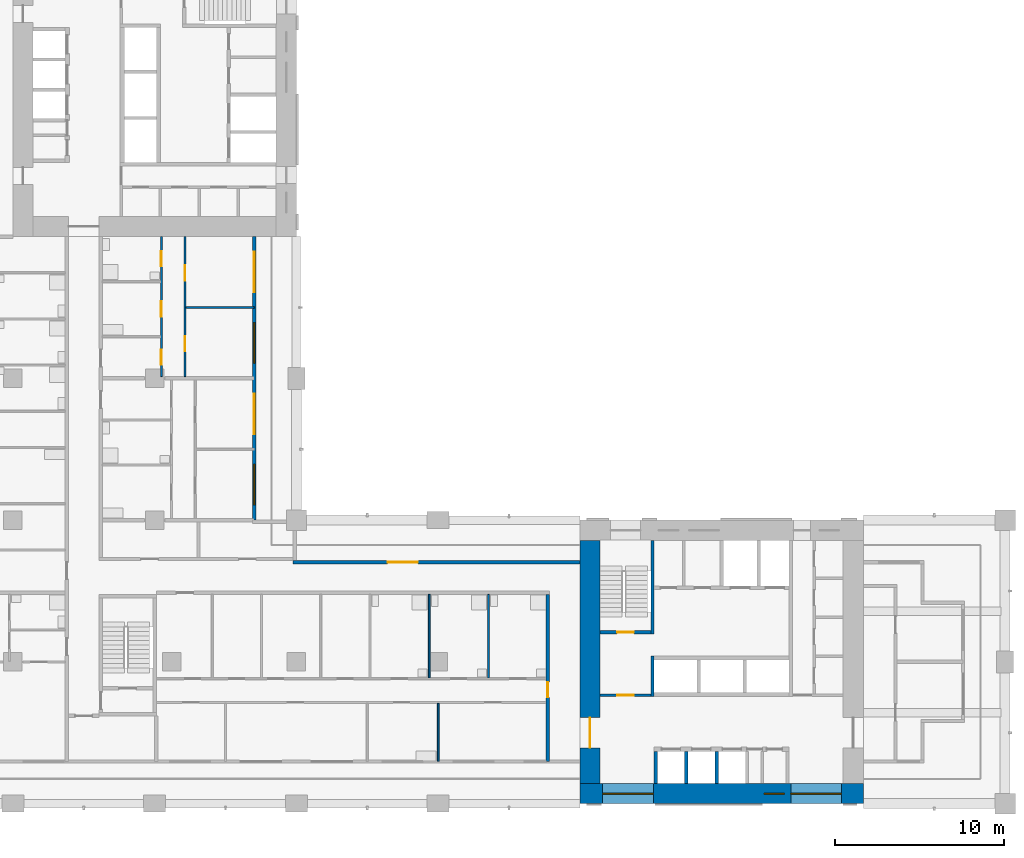
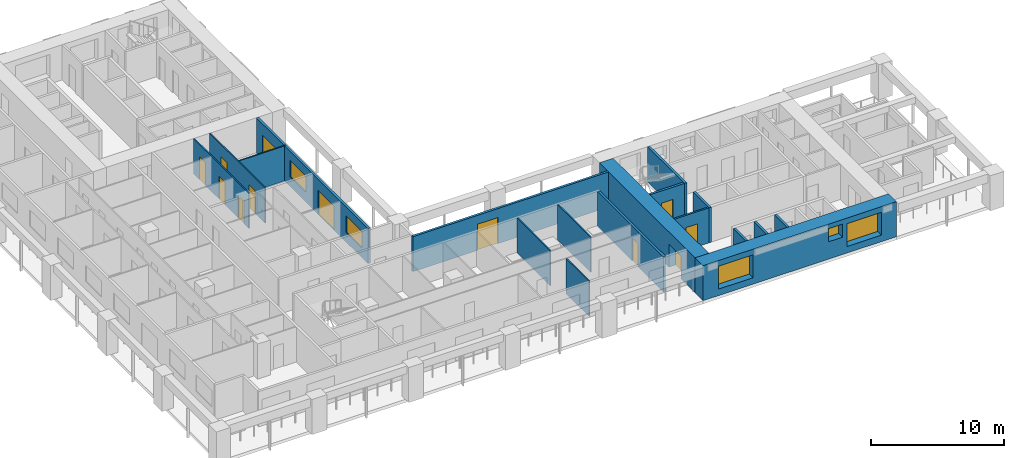
# One storey, part 5 of 17: 18 walls, 12 doors, 5 windows, 17 openings.
"""IFC4 building model written with IfcOpenShell, lengths in metres."""

from ifc_helpers import new_model, si_unit, direction, frame, frame_2d, origin, place, context, subcontext, project, spatial, rectangle, extrude, material, layer, layer_set, type_object, element, fill, save


model = new_model("IFC4")

# Units and contexts
model_context = context("Model", 3, precision=1e-05, world=origin(), true_north=direction((0.0, 1.0)))
body_context = subcontext(model_context, "Body", "Model", "MODEL_VIEW")
ifc_project = project(units=[si_unit("LENGTHUNIT", "METRE"), si_unit("AREAUNIT", "SQUARE_METRE"), si_unit("VOLUMEUNIT", "CUBIC_METRE"), si_unit("PLANEANGLEUNIT", "RADIAN"), si_unit("MASSUNIT", "GRAM", prefix="KILO")], contexts=[model_context])

# Site, building, storey
site_placement = place(None, origin())
site = spatial("IfcSite", under=ifc_project, at=site_placement, CompositionType="ELEMENT")
building_placement = place(site_placement, origin())
building = spatial("IfcBuilding", under=site, at=building_placement, Name="Vermilion Gate Residences", CompositionType="ELEMENT")
storey_placement = place(building_placement, frame((0.0, 0.0, 91.699951171875)))
storey = spatial("IfcBuildingStorey", under=building, at=storey_placement, Name="L22", CompositionType="ELEMENT", Elevation=91.699951171875)

# Wall, opening, door
ifc_material_1 = material(Name="Masonry blockwork", Category="masonry")
ifc_layer_1 = layer(ifc_material_1, 0.14990234375)
ifc_layer_set_1 = layer_set([ifc_layer_1], Name="BLOCKWORK PARTITION 150 EI 120")
wall_type_1 = type_object("IfcWallType", Name="BLOCKWORK PARTITION 150 EI 120", PredefinedType="PARTITIONING", material=ifc_layer_set_1)
wall_1_placement = place(storey_placement, frame((43.199951171875, 14.824951171875, 0.0), z_axis=(0.0, 0.0, 1.0), x_axis=(1.0, 0.0, 0.0)))
wall_1 = element("IfcWall", 1, at=wall_1_placement, inside=storey, type_object=wall_type_1, Name="Core room partition A22-VW-S", PredefinedType="PARTITIONING", context=body_context, shape_type="SweptSolid", body=[
    extrude(rectangle(XDim=3.0, YDim=0.14990234375, at=frame_2d((1.5, 0.0))), origin(), (0.0, 0.0, 1.0), 3.219970703125),
])
opening_1_placement = place(wall_1_placement, frame((1.0, 0.0, 0.0)))
opening_1 = element("IfcOpeningElement", 2, at=opening_1_placement, cuts=wall_1, Name="Opening DK22012", PredefinedType="OPENING", context=body_context, shape_type="SweptSolid", body=[
    extrude(rectangle(XDim=1.0, YDim=2.10009765625, at=frame_2d((0.5, 1.050048828125))), frame((0.0, 0.0849609375, 0.0), z_axis=(0.0, -1.0, 0.0), x_axis=(1.0, 0.0, 0.0)), (0.0, 0.0, 1.0), 0.169921875),
])
ifc_material_2 = material(Name="Steel", Category="steel")
door_type_1 = type_object("IfcDoorType", Name="FIRE DOOR FD60 1000 X 2100", OperationType="SINGLE_SWING_LEFT", PredefinedType="DOOR", material=ifc_material_2)
door_1_placement = place(opening_1_placement, frame((1.0, 0.0, 0.0), z_axis=(0.0, 0.0, 1.0), x_axis=(-1.0, 0.0, 0.0)))
door_1 = element("IfcDoor", 3, at=door_1_placement, inside=storey, type_object=door_type_1, Name="Stair vestibule door A22", OperationType="SINGLE_SWING_RIGHT", OverallHeight=2.10009765625, OverallWidth=1.0, PredefinedType="DOOR", context=body_context, shape_type="SweptSolid", body=[
    extrude(rectangle(XDim=1.0, YDim=2.10009765625, at=frame_2d((0.5, 1.050048828125))), frame((0.0, 0.02490234375, 0.0), z_axis=(0.0, -1.0, 0.0), x_axis=(1.0, 0.0, 0.0)), (0.0, 0.0, 1.0), 0.050048828125),
])
fill(opening_1, door_1)

ifc_material_3 = material(Name="Insulated steel stud wall with terracotta rainscreen", Category="masonry")
ifc_layer_2 = layer(ifc_material_3, 0.199951171875)
ifc_layer_set_2 = layer_set([ifc_layer_2], Name="EXTERNAL WALL 200 TERRACOTTA RAINSCREEN")
wall_type_2 = type_object("IfcWallType", Name="EXTERNAL WALL 200 TERRACOTTA RAINSCREEN", PredefinedType="SOLIDWALL", material=ifc_layer_set_2)
wall_2_placement = place(storey_placement, frame((42.0, 22.699951171875, 0.0), z_axis=(0.0, 0.0, 1.0), x_axis=(-1.0, 0.0, 0.0)))
wall_2 = element("IfcWall", 4, at=wall_2_placement, inside=storey, type_object=wall_type_2, Name="External wall", PredefinedType="SOLIDWALL", context=body_context, shape_type="SweptSolid", body=[
    extrude(rectangle(XDim=17.0, YDim=0.199951171875, at=frame_2d((8.5, 0.0))), origin(), (0.0, 0.0, 1.0), 3.219970703125),
])
opening_2_placement = place(wall_2_placement, frame((9.60009765625, 0.0, 0.0)))
opening_2 = element("IfcOpeningElement", 5, at=opening_2_placement, cuts=wall_2, Name="Opening DE22029", PredefinedType="OPENING", context=body_context, shape_type="SweptSolid", body=[
    extrude(rectangle(XDim=1.800048828125, YDim=2.39990234375, at=frame_2d((0.89990234375, 1.199951171875))), frame((0.0, 0.10986328125, 0.0), z_axis=(0.0, -1.0, 0.0), x_axis=(1.0, 0.0, 0.0)), (0.0, 0.0, 1.0), 0.219970703125),
])
ifc_material_4 = material(Name="Aluminium and clear glass", Category="aluminium")
door_type_2 = type_object("IfcDoorType", Name="GLAZED EXTERNAL DOOR 1800 X 2400", OperationType="DOUBLE_DOOR_SINGLE_SWING", PredefinedType="DOOR", material=ifc_material_4)
door_2_placement = place(opening_2_placement, frame((1.800048828125, 0.0, 0.0), z_axis=(0.0, 0.0, 1.0), x_axis=(-1.0, 0.0, 0.0)))
door_2 = element("IfcDoor", 6, at=door_2_placement, inside=storey, type_object=door_type_2, Name="Gallery door", OperationType="DOUBLE_DOOR_SINGLE_SWING", OverallHeight=2.39990234375, OverallWidth=1.800048828125, PredefinedType="DOOR", context=body_context, shape_type="SweptSolid", body=[
    extrude(rectangle(XDim=1.800048828125, YDim=2.39990234375, at=frame_2d((0.89990234375, 1.199951171875))), frame((0.0, 0.02490234375, 0.0), z_axis=(0.0, -1.0, 0.0), x_axis=(1.0, 0.0, 0.0)), (0.0, 0.0, 1.0), 0.050048828125),
])
fill(opening_2, door_2)

# Wall, openings, doors, windows
wall_3_placement = place(storey_placement, frame((22.699951171875, 25.199951171875, 0.0), z_axis=(0.0, 0.0, 1.0), x_axis=(0.0, 1.0, 0.0)))
wall_3 = element("IfcWall", 7, at=wall_3_placement, inside=storey, type_object=wall_type_2, Name="External wall", PredefinedType="SOLIDWALL", context=body_context, shape_type="SweptSolid", body=[
    extrude(rectangle(XDim=16.800048828125, YDim=0.199951171875, at=frame_2d((8.39990234375, 0.0))), origin(), (0.0, 0.0, 1.0), 3.219970703125),
])
opening_3_placement = place(wall_3_placement, frame((0.89990234375, 0.0, 0.89990234375)))
opening_3 = element("IfcOpeningElement", 8, at=opening_3_placement, cuts=wall_3, Name="Opening WE22024", PredefinedType="OPENING", context=body_context, shape_type="SweptSolid", body=[
    extrude(rectangle(XDim=2.39990234375, YDim=1.5, at=frame_2d((1.199951171875, 0.75))), frame((0.0, 0.10986328125, 0.0), z_axis=(0.0, -1.0, 0.0), x_axis=(1.0, 0.0, 0.0)), (0.0, 0.0, 1.0), 0.219970703125),
])
opening_4_placement = place(wall_3_placement, frame((5.10009765625, 0.0, 0.0)))
opening_4 = element("IfcOpeningElement", 9, at=opening_4_placement, cuts=wall_3, Name="Opening DE22025", PredefinedType="OPENING", context=body_context, shape_type="SweptSolid", body=[
    extrude(rectangle(XDim=2.39990234375, YDim=2.199951171875, at=frame_2d((1.199951171875, 1.10009765625))), frame((0.0, 0.10986328125, 0.0), z_axis=(0.0, -1.0, 0.0), x_axis=(1.0, 0.0, 0.0)), (0.0, 0.0, 1.0), 0.219970703125),
])
opening_5_placement = place(wall_3_placement, frame((9.300048828125, 0.0, 0.89990234375)))
opening_5 = element("IfcOpeningElement", 10, at=opening_5_placement, cuts=wall_3, Name="Opening WE22026", PredefinedType="OPENING", context=body_context, shape_type="SweptSolid", body=[
    extrude(rectangle(XDim=2.39990234375, YDim=1.5, at=frame_2d((1.199951171875, 0.75))), frame((0.0, 0.10986328125, 0.0), z_axis=(0.0, -1.0, 0.0), x_axis=(1.0, 0.0, 0.0)), (0.0, 0.0, 1.0), 0.219970703125),
])
opening_6_placement = place(wall_3_placement, frame((13.5, 0.0, 0.0)))
opening_6 = element("IfcOpeningElement", 11, at=opening_6_placement, cuts=wall_3, Name="Opening DE22027", PredefinedType="OPENING", context=body_context, shape_type="SweptSolid", body=[
    extrude(rectangle(XDim=2.39990234375, YDim=2.199951171875, at=frame_2d((1.199951171875, 1.10009765625))), frame((0.0, 0.10986328125, 0.0), z_axis=(0.0, -1.0, 0.0), x_axis=(1.0, 0.0, 0.0)), (0.0, 0.0, 1.0), 0.219970703125),
])
ifc_material_5 = material(Name="Aluminium and clear glass", Category="aluminium")
door_type_3 = type_object("IfcDoorType", Name="SLIDING GLAZED DOOR 2400 X 2200", OperationType="DOUBLE_DOOR_SLIDING", PredefinedType="DOOR", material=ifc_material_5)
door_3_placement = place(opening_4_placement, origin())
door_3 = element("IfcDoor", 12, at=door_3_placement, inside=storey, type_object=door_type_3, Name="Loggia sliding door", OperationType="DOUBLE_DOOR_SLIDING", OverallHeight=2.199951171875, OverallWidth=2.39990234375, PredefinedType="DOOR", context=body_context, shape_type="SweptSolid", body=[
    extrude(rectangle(XDim=2.39990234375, YDim=2.199951171875, at=frame_2d((1.199951171875, 1.10009765625))), frame((0.0, 0.02490234375, 0.0), z_axis=(0.0, -1.0, 0.0), x_axis=(1.0, 0.0, 0.0)), (0.0, 0.0, 1.0), 0.050048828125),
])
fill(opening_4, door_3)
door_4_placement = place(opening_6_placement, origin())
door_4 = element("IfcDoor", 13, at=door_4_placement, inside=storey, type_object=door_type_3, Name="Loggia sliding door", OperationType="DOUBLE_DOOR_SLIDING", OverallHeight=2.199951171875, OverallWidth=2.39990234375, PredefinedType="DOOR", context=body_context, shape_type="SweptSolid", body=[
    extrude(rectangle(XDim=2.39990234375, YDim=2.199951171875, at=frame_2d((1.199951171875, 1.10009765625))), frame((0.0, 0.02490234375, 0.0), z_axis=(0.0, -1.0, 0.0), x_axis=(1.0, 0.0, 0.0)), (0.0, 0.0, 1.0), 0.050048828125),
])
fill(opening_6, door_4)
ifc_material_6 = material(Name="Aluminium and clear glass", Category="aluminium")
window_type_1 = type_object("IfcWindowType", Name="WINDOW 2400 X 1500", PartitioningType="SINGLE_PANEL", PredefinedType="WINDOW", material=ifc_material_6)
window_1_placement = place(opening_3_placement, origin())
window_1 = element("IfcWindow", 14, at=window_1_placement, inside=storey, type_object=window_type_1, Name="Window", OverallHeight=1.5, OverallWidth=2.39990234375, PartitioningType="SINGLE_PANEL", PredefinedType="WINDOW", context=body_context, shape_type="SweptSolid", body=[
    extrude(rectangle(XDim=2.39990234375, YDim=1.5, at=frame_2d((1.199951171875, 0.75))), frame((0.0, 0.030029296875, 0.0), z_axis=(0.0, -1.0, 0.0), x_axis=(1.0, 0.0, 0.0)), (0.0, 0.0, 1.0), 0.06005859375),
])
fill(opening_3, window_1)
window_2_placement = place(opening_5_placement, origin())
window_2 = element("IfcWindow", 15, at=window_2_placement, inside=storey, type_object=window_type_1, Name="Window", OverallHeight=1.5, OverallWidth=2.39990234375, PartitioningType="SINGLE_PANEL", PredefinedType="WINDOW", context=body_context, shape_type="SweptSolid", body=[
    extrude(rectangle(XDim=2.39990234375, YDim=1.5, at=frame_2d((1.199951171875, 0.75))), frame((0.0, 0.030029296875, 0.0), z_axis=(0.0, -1.0, 0.0), x_axis=(1.0, 0.0, 0.0)), (0.0, 0.0, 1.0), 0.06005859375),
])
fill(opening_5, window_2)

# Wall
ifc_material_7 = material(Name="Plasterboard on steel studs", Category="steel")
ifc_layer_3 = layer(ifc_material_7, 0.10009765625)
ifc_layer_set_3 = layer_set([ifc_layer_3], Name="PARTITION 100")
wall_type_3 = type_object("IfcWallType", Name="PARTITION 100", PredefinedType="PARTITIONING", material=ifc_layer_set_3)
wall_4_placement = place(storey_placement, frame((18.64990234375, 37.800048828125, 0.0), z_axis=(0.0, 0.0, 1.0), x_axis=(1.0, 0.0, 0.0)))
element("IfcWall", 16, at=wall_4_placement, inside=storey, type_object=wall_type_3, Name="Partition", PredefinedType="PARTITIONING", context=body_context, shape_type="SweptSolid", body=[
    extrude(rectangle(XDim=4.050048828125, YDim=0.10009765625, at=frame_2d((2.02490234375, 0.0))), origin(), (0.0, 0.0, 1.0), 3.219970703125),
])

# Wall, openings, doors
wall_5_placement = place(storey_placement, frame((17.199951171875, 33.699951171875, 0.0), z_axis=(0.0, 0.0, 1.0), x_axis=(0.0, 1.0, 0.0)))
wall_5 = element("IfcWall", 17, at=wall_5_placement, inside=storey, type_object=wall_type_3, Name="Partition", PredefinedType="PARTITIONING", context=body_context, shape_type="SweptSolid", body=[
    extrude(rectangle(XDim=8.300048828125, YDim=0.10009765625, at=frame_2d((4.14990234375, 0.0))), origin(), (0.0, 0.0, 1.0), 3.219970703125),
])
opening_7_placement = place(wall_5_placement, frame((0.699951171875, 0.0, 0.0)))
opening_7 = element("IfcOpeningElement", 18, at=opening_7_placement, cuts=wall_5, Name="Opening DA22040", PredefinedType="OPENING", context=body_context, shape_type="SweptSolid", body=[
    extrude(rectangle(XDim=0.89990234375, YDim=2.10009765625, at=frame_2d((0.449951171875, 1.050048828125))), frame((0.0, 0.06005859375, 0.0), z_axis=(0.0, -1.0, 0.0), x_axis=(1.0, 0.0, 0.0)), (0.0, 0.0, 1.0), 0.1201171875),
])
opening_8_placement = place(wall_5_placement, frame((3.56689453125, 0.0, 0.0)))
opening_8 = element("IfcOpeningElement", 19, at=opening_8_placement, cuts=wall_5, Name="Opening DA22041", PredefinedType="OPENING", context=body_context, shape_type="SweptSolid", body=[
    extrude(rectangle(XDim=0.89990234375, YDim=2.10009765625, at=frame_2d((0.449951171875, 1.050048828125))), frame((0.0, 0.06005859375, 0.0), z_axis=(0.0, -1.0, 0.0), x_axis=(1.0, 0.0, 0.0)), (0.0, 0.0, 1.0), 0.1201171875),
])
opening_9_placement = place(wall_5_placement, frame((6.532958984375, 0.0, 0.0)))
opening_9 = element("IfcOpeningElement", 20, at=opening_9_placement, cuts=wall_5, Name="Opening DA22042", PredefinedType="OPENING", context=body_context, shape_type="SweptSolid", body=[
    extrude(rectangle(XDim=0.89990234375, YDim=2.10009765625, at=frame_2d((0.449951171875, 1.050048828125))), frame((0.0, 0.06005859375, 0.0), z_axis=(0.0, -1.0, 0.0), x_axis=(1.0, 0.0, 0.0)), (0.0, 0.0, 1.0), 0.1201171875),
])
ifc_material_8 = material(Name="Timber", Category="wood")
door_type_4 = type_object("IfcDoorType", Name="INTERIOR DOOR 900 X 2100", OperationType="SINGLE_SWING_LEFT", PredefinedType="DOOR", material=ifc_material_8)
door_5_placement = place(opening_7_placement, origin())
door_5 = element("IfcDoor", 21, at=door_5_placement, inside=storey, type_object=door_type_4, Name="Interior door", OperationType="SINGLE_SWING_LEFT", OverallHeight=2.10009765625, OverallWidth=0.89990234375, PredefinedType="DOOR", context=body_context, shape_type="SweptSolid", body=[
    extrude(rectangle(XDim=0.89990234375, YDim=2.10009765625, at=frame_2d((0.449951171875, 1.050048828125))), frame((0.0, 0.02490234375, 0.0), z_axis=(0.0, -1.0, 0.0), x_axis=(1.0, 0.0, 0.0)), (0.0, 0.0, 1.0), 0.050048828125),
])
fill(opening_7, door_5)
door_6_placement = place(opening_8_placement, origin())
door_6 = element("IfcDoor", 22, at=door_6_placement, inside=storey, type_object=door_type_4, Name="Interior door", OperationType="SINGLE_SWING_RIGHT", OverallHeight=2.10009765625, OverallWidth=0.89990234375, PredefinedType="DOOR", context=body_context, shape_type="SweptSolid", body=[
    extrude(rectangle(XDim=0.89990234375, YDim=2.10009765625, at=frame_2d((0.449951171875, 1.050048828125))), frame((0.0, 0.02490234375, 0.0), z_axis=(0.0, -1.0, 0.0), x_axis=(1.0, 0.0, 0.0)), (0.0, 0.0, 1.0), 0.050048828125),
])
fill(opening_8, door_6)
door_7_placement = place(opening_9_placement, origin())
door_7 = element("IfcDoor", 23, at=door_7_placement, inside=storey, type_object=door_type_4, Name="Interior door", OperationType="SINGLE_SWING_LEFT", OverallHeight=2.10009765625, OverallWidth=0.89990234375, PredefinedType="DOOR", context=body_context, shape_type="SweptSolid", body=[
    extrude(rectangle(XDim=0.89990234375, YDim=2.10009765625, at=frame_2d((0.449951171875, 1.050048828125))), frame((0.0, 0.02490234375, 0.0), z_axis=(0.0, -1.0, 0.0), x_axis=(1.0, 0.0, 0.0)), (0.0, 0.0, 1.0), 0.050048828125),
])
fill(opening_9, door_7)

wall_6_placement = place(storey_placement, frame((18.60009765625, 33.699951171875, 0.0), z_axis=(0.0, 0.0, 1.0), x_axis=(0.0, 1.0, 0.0)))
wall_6 = element("IfcWall", 24, at=wall_6_placement, inside=storey, type_object=wall_type_3, Name="Partition", PredefinedType="PARTITIONING", context=body_context, shape_type="SweptSolid", body=[
    extrude(rectangle(XDim=8.300048828125, YDim=0.10009765625, at=frame_2d((4.14990234375, 0.0))), origin(), (0.0, 0.0, 1.0), 3.219970703125),
])
opening_10_placement = place(wall_6_placement, frame((1.5, 0.0, 0.0)))
opening_10 = element("IfcOpeningElement", 25, at=opening_10_placement, cuts=wall_6, Name="Opening DA22046", PredefinedType="OPENING", context=body_context, shape_type="SweptSolid", body=[
    extrude(rectangle(XDim=0.89990234375, YDim=2.10009765625, at=frame_2d((0.449951171875, 1.050048828125))), frame((0.0, 0.06005859375, 0.0), z_axis=(0.0, -1.0, 0.0), x_axis=(1.0, 0.0, 0.0)), (0.0, 0.0, 1.0), 0.1201171875),
])
opening_11_placement = place(wall_6_placement, frame((5.699951171875, 0.0, 0.0)))
opening_11 = element("IfcOpeningElement", 26, at=opening_11_placement, cuts=wall_6, Name="Opening DA22047", PredefinedType="OPENING", context=body_context, shape_type="SweptSolid", body=[
    extrude(rectangle(XDim=0.89990234375, YDim=2.10009765625, at=frame_2d((0.449951171875, 1.050048828125))), frame((0.0, 0.06005859375, 0.0), z_axis=(0.0, -1.0, 0.0), x_axis=(1.0, 0.0, 0.0)), (0.0, 0.0, 1.0), 0.1201171875),
])
door_8_placement = place(opening_10_placement, frame((0.89990234375, 0.0, 0.0), z_axis=(0.0, 0.0, 1.0), x_axis=(-1.0, 0.0, 0.0)))
door_8 = element("IfcDoor", 27, at=door_8_placement, inside=storey, type_object=door_type_4, Name="Interior door", OperationType="SINGLE_SWING_RIGHT", OverallHeight=2.10009765625, OverallWidth=0.89990234375, PredefinedType="DOOR", context=body_context, shape_type="SweptSolid", body=[
    extrude(rectangle(XDim=0.89990234375, YDim=2.10009765625, at=frame_2d((0.449951171875, 1.050048828125))), frame((0.0, 0.02490234375, 0.0), z_axis=(0.0, -1.0, 0.0), x_axis=(1.0, 0.0, 0.0)), (0.0, 0.0, 1.0), 0.050048828125),
])
fill(opening_10, door_8)
door_9_placement = place(opening_11_placement, frame((0.89990234375, 0.0, 0.0), z_axis=(0.0, 0.0, 1.0), x_axis=(-1.0, 0.0, 0.0)))
door_9 = element("IfcDoor", 28, at=door_9_placement, inside=storey, type_object=door_type_4, Name="Interior door", OperationType="SINGLE_SWING_RIGHT", OverallHeight=2.10009765625, OverallWidth=0.89990234375, PredefinedType="DOOR", context=body_context, shape_type="SweptSolid", body=[
    extrude(rectangle(XDim=0.89990234375, YDim=2.10009765625, at=frame_2d((0.449951171875, 1.050048828125))), frame((0.0, 0.02490234375, 0.0), z_axis=(0.0, -1.0, 0.0), x_axis=(1.0, 0.0, 0.0)), (0.0, 0.0, 1.0), 0.050048828125),
])
fill(opening_11, door_9)

# Walls
wall_7_placement = place(storey_placement, frame((33.072021484375, 15.85009765625, 0.0), z_axis=(0.0, 0.0, 1.0), x_axis=(0.0, 1.0, 0.0)))
element("IfcWall", 29, at=wall_7_placement, inside=storey, type_object=wall_type_3, Name="Partition", PredefinedType="PARTITIONING", context=body_context, shape_type="SweptSolid", body=[
    extrude(rectangle(XDim=4.949951171875, YDim=0.10009765625, at=frame_2d((2.47509765625, 0.0))), origin(), (0.0, 0.0, 1.0), 3.219970703125),
])
wall_8_placement = place(storey_placement, frame((33.60009765625, 10.89990234375, 0.0), z_axis=(0.0, 0.0, 1.0), x_axis=(0.0, 1.0, 0.0)))
element("IfcWall", 30, at=wall_8_placement, inside=storey, type_object=wall_type_3, Name="Partition", PredefinedType="PARTITIONING", context=body_context, shape_type="SweptSolid", body=[
    extrude(rectangle(XDim=3.4501953125, YDim=0.10009765625, at=frame_2d((1.72509765625, 0.0))), origin(), (0.0, 0.0, 1.0), 3.219970703125),
])
wall_9_placement = place(storey_placement, frame((36.5859375, 15.85009765625, 0.0), z_axis=(0.0, 0.0, 1.0), x_axis=(0.0, 1.0, 0.0)))
element("IfcWall", 31, at=wall_9_placement, inside=storey, type_object=wall_type_3, Name="Partition", PredefinedType="PARTITIONING", context=body_context, shape_type="SweptSolid", body=[
    extrude(rectangle(XDim=4.949951171875, YDim=0.10009765625, at=frame_2d((2.47509765625, 0.0))), origin(), (0.0, 0.0, 1.0), 3.219970703125),
])

# Wall, opening, door
ifc_material_9 = material(Name="Fire-rated plasterboard on steel studs", Category="steel")
ifc_layer_4 = layer(ifc_material_9, 0.199951171875)
ifc_layer_set_4 = layer_set([ifc_layer_4], Name="PARTY WALL 200 EI 120")
wall_type_4 = type_object("IfcWallType", Name="PARTY WALL 200 EI 120", PredefinedType="PARTITIONING", material=ifc_layer_set_4)
wall_10_placement = place(storey_placement, frame((40.10009765625, 10.89990234375, 0.0), z_axis=(0.0, 0.0, 1.0), x_axis=(0.0, 1.0, 0.0)))
wall_10 = element("IfcWall", 32, at=wall_10_placement, inside=storey, type_object=wall_type_4, Name="Party and corridor wall", PredefinedType="PARTITIONING", context=body_context, shape_type="SweptSolid", body=[
    extrude(rectangle(XDim=9.900146484375, YDim=0.199951171875, at=frame_2d((4.9501953125, 0.0))), origin(), (0.0, 0.0, 1.0), 3.219970703125),
])
opening_12_placement = place(wall_10_placement, frame((3.800048828125, 0.0, 0.0)))
opening_12 = element("IfcOpeningElement", 33, at=opening_12_placement, cuts=wall_10, Name="Opening DA22050", PredefinedType="OPENING", context=body_context, shape_type="SweptSolid", body=[
    extrude(rectangle(XDim=0.89990234375, YDim=2.10009765625, at=frame_2d((0.449951171875, 1.050048828125))), frame((0.0, 0.10986328125, 0.0), z_axis=(0.0, -1.0, 0.0), x_axis=(1.0, 0.0, 0.0)), (0.0, 0.0, 1.0), 0.219970703125),
])
door_10_placement = place(opening_12_placement, origin())
door_10 = element("IfcDoor", 34, at=door_10_placement, inside=storey, type_object=door_type_4, Name="Interior door", OperationType="SINGLE_SWING_RIGHT", OverallHeight=2.10009765625, OverallWidth=0.89990234375, PredefinedType="DOOR", context=body_context, shape_type="SweptSolid", body=[
    extrude(rectangle(XDim=0.89990234375, YDim=2.10009765625, at=frame_2d((0.449951171875, 1.050048828125))), frame((0.0, 0.02490234375, 0.0), z_axis=(0.0, -1.0, 0.0), x_axis=(1.0, 0.0, 0.0)), (0.0, 0.0, 1.0), 0.050048828125),
])
fill(opening_12, door_10)

# Walls
ifc_material_10 = material(Name="Concrete C60", Category="concrete")
ifc_layer_5 = layer(ifc_material_10, 0.199951171875)
ifc_layer_set_5 = layer_set([ifc_layer_5], Name="RC CORE INTERNAL WALL 200 C60")
wall_type_5 = type_object("IfcWallType", Name="RC CORE INTERNAL WALL 200 C60", PredefinedType="SHEAR", material=ifc_layer_set_5)
for number, where, z_axis, x_axis, name in (
    (35, (46.5, 9.60009765625, 0.0), (0.0, 0.0, 1.0), (0.0, 1.0, 0.0), "Core internal wall A22-LR-D0"),
    (36, (48.300048828125, 9.60009765625, 0.0), (0.0, 0.0, 1.0), (0.0, 1.0, 0.0), "Core internal wall A22-LR-D1"),
    (37, (50.10009765625, 9.60009765625, 0.0), (0.0, 0.0, 1.0), (0.0, 1.0, 0.0), "Core internal wall A22-LR-D2"),
):
    element("IfcWall", number, at=place(storey_placement, frame(where, z_axis=z_axis, x_axis=x_axis)), inside=storey, type_object=wall_type_5, Name=name, PredefinedType="SHEAR", context=body_context, shape_type="SweptSolid", body=[
        extrude(rectangle(XDim=1.89990234375, YDim=0.199951171875, at=frame_2d((0.949951171875, 0.0))), origin(), (0.0, 0.0, 1.0), 3.219970703125),
    ])
wall_11_placement = place(storey_placement, frame((46.300048828125, 14.75, 0.0), z_axis=(0.0, 0.0, 1.0), x_axis=(0.0, 1.0, 0.0)))
element("IfcWall", 38, at=wall_11_placement, inside=storey, type_object=wall_type_5, Name="Core internal wall A22-WDIV1", PredefinedType="SHEAR", context=body_context, shape_type="SweptSolid", body=[
    extrude(rectangle(XDim=2.39990234375, YDim=0.199951171875, at=frame_2d((1.199951171875, 0.0))), origin(), (0.0, 0.0, 1.0), 3.219970703125),
])
wall_12_placement = place(storey_placement, frame((46.300048828125, 18.449951171875, 0.0), z_axis=(0.0, 0.0, 1.0), x_axis=(0.0, 1.0, 0.0)))
element("IfcWall", 39, at=wall_12_placement, inside=storey, type_object=wall_type_5, Name="Core internal wall A22-WDIV2", PredefinedType="SHEAR", context=body_context, shape_type="SweptSolid", body=[
    extrude(rectangle(XDim=5.550048828125, YDim=0.199951171875, at=frame_2d((2.77490234375, 0.0))), origin(), (0.0, 0.0, 1.0), 3.219970703125),
])

# Wall, opening, door
wall_13_placement = place(storey_placement, frame((43.199951171875, 18.550048828125, 0.0), z_axis=(0.0, 0.0, 1.0), x_axis=(1.0, 0.0, 0.0)))
wall_13 = element("IfcWall", 40, at=wall_13_placement, inside=storey, type_object=wall_type_5, Name="Core internal wall A22-STW-S", PredefinedType="SHEAR", context=body_context, shape_type="SweptSolid", body=[
    extrude(rectangle(XDim=3.0, YDim=0.199951171875, at=frame_2d((1.5, 0.0))), origin(), (0.0, 0.0, 1.0), 3.219970703125),
])
opening_13_placement = place(wall_13_placement, frame((1.0, 0.0, 0.0)))
opening_13 = element("IfcOpeningElement", 41, at=opening_13_placement, cuts=wall_13, Name="Opening DK22013", PredefinedType="OPENING", context=body_context, shape_type="SweptSolid", body=[
    extrude(rectangle(XDim=1.0, YDim=2.10009765625, at=frame_2d((0.5, 1.050048828125))), frame((0.0, 0.10986328125, 0.0), z_axis=(0.0, -1.0, 0.0), x_axis=(1.0, 0.0, 0.0)), (0.0, 0.0, 1.0), 0.219970703125),
])
door_11_placement = place(opening_13_placement, origin())
door_11 = element("IfcDoor", 42, at=door_11_placement, inside=storey, type_object=door_type_1, Name="Stair door A22", OperationType="SINGLE_SWING_LEFT", OverallHeight=2.10009765625, OverallWidth=1.0, PredefinedType="DOOR", context=body_context, shape_type="SweptSolid", body=[
    extrude(rectangle(XDim=1.0, YDim=2.10009765625, at=frame_2d((0.5, 1.050048828125))), frame((0.0, 0.02490234375, 0.0), z_axis=(0.0, -1.0, 0.0), x_axis=(1.0, 0.0, 0.0)), (0.0, 0.0, 1.0), 0.050048828125),
])
fill(opening_13, door_11)

ifc_material_11 = material(Name="Concrete C70", Category="concrete")
ifc_layer_6 = layer(ifc_material_11, 1.199951171875)
ifc_layer_set_6 = layer_set([ifc_layer_6], Name="RC CORE WALL 1200 C70")
wall_type_6 = type_object("IfcWallType", Name="RC CORE WALL 1200 C70", PredefinedType="SHEAR", material=ifc_layer_set_6)
wall_14_placement = place(storey_placement, frame((42.60009765625, 9.60009765625, 0.0), z_axis=(0.0, 0.0, 1.0), x_axis=(0.0, 1.0, 0.0)))
wall_14 = element("IfcWall", 43, at=wall_14_placement, inside=storey, type_object=wall_type_6, Name="Core wall A22-OUT-FR", PredefinedType="SHEAR", context=body_context, shape_type="SweptSolid", body=[
    extrude(rectangle(XDim=14.39990234375, YDim=1.199951171875, at=frame_2d((7.199951171875, 0.0))), origin(), (0.0, 0.0, 1.0), 3.219970703125),
])
opening_14_placement = place(wall_14_placement, frame((2.10009765625, 0.0, 0.0)))
opening_14 = element("IfcOpeningElement", 44, at=opening_14_placement, cuts=wall_14, Name="Opening DK22001", PredefinedType="OPENING", context=body_context, shape_type="SweptSolid", body=[
    extrude(rectangle(XDim=1.800048828125, YDim=2.10009765625, at=frame_2d((0.89990234375, 1.050048828125))), frame((0.0, 0.60986328125, 0.0), z_axis=(0.0, -1.0, 0.0), x_axis=(1.0, 0.0, 0.0)), (0.0, 0.0, 1.0), 1.219970703125),
])
ifc_material_12 = material(Name="Steel", Category="steel")
door_type_5 = type_object("IfcDoorType", Name="CORE LOBBY DOOR FD60 1800 X 2100", OperationType="DOUBLE_DOOR_SINGLE_SWING", PredefinedType="DOOR", material=ifc_material_12)
door_12_placement = place(opening_14_placement, frame((1.800048828125, 0.0, 0.0), z_axis=(0.0, 0.0, 1.0), x_axis=(-1.0, 0.0, 0.0)))
door_12 = element("IfcDoor", 45, at=door_12_placement, inside=storey, type_object=door_type_5, Name="Core lobby door A22", OperationType="DOUBLE_DOOR_SINGLE_SWING", OverallHeight=2.10009765625, OverallWidth=1.800048828125, PredefinedType="DOOR", context=body_context, shape_type="SweptSolid", body=[
    extrude(rectangle(XDim=1.800048828125, YDim=2.10009765625, at=frame_2d((0.89990234375, 1.050048828125))), frame((0.0, 0.02490234375, 0.0), z_axis=(0.0, -1.0, 0.0), x_axis=(1.0, 0.0, 0.0)), (0.0, 0.0, 1.0), 0.050048828125),
])
fill(opening_14, door_12)

# Wall, openings, windows
ifc_material_13 = material(Name="Concrete C70 red-oxide pigmented", Category="concrete")
ifc_layer_7 = layer(ifc_material_13, 1.199951171875)
ifc_layer_set_7 = layer_set([ifc_layer_7], Name="RC CORE WALL 1200 C70 RED OXIDE")
wall_type_7 = type_object("IfcWallType", Name="RC CORE WALL 1200 C70 RED OXIDE", PredefinedType="SHEAR", material=ifc_layer_set_7)
wall_15_placement = place(storey_placement, frame((42.0, 9.0, 0.0), z_axis=(0.0, 0.0, 1.0), x_axis=(1.0, 0.0, 0.0)))
wall_15 = element("IfcWall", 46, at=wall_15_placement, inside=storey, type_object=wall_type_7, Name="Core wall A22-OUT-B0", PredefinedType="SHEAR", context=body_context, shape_type="SweptSolid", body=[
    extrude(rectangle(XDim=16.800048828125, YDim=1.199951171875, at=frame_2d((8.39990234375, 0.0))), origin(), (0.0, 0.0, 1.0), 3.219970703125),
])
opening_15_placement = place(wall_15_placement, frame((1.35009765625, 0.0, 0.60009765625)))
opening_15 = element("IfcOpeningElement", 47, at=opening_15_placement, cuts=wall_15, Name="Opening WKA2201", PredefinedType="OPENING", context=body_context, shape_type="SweptSolid", body=[
    extrude(rectangle(XDim=3.0, YDim=2.10009765625, at=frame_2d((1.5, 1.050048828125))), frame((0.0, 0.60986328125, 0.0), z_axis=(0.0, -1.0, 0.0), x_axis=(1.0, 0.0, 0.0)), (0.0, 0.0, 1.0), 1.219970703125),
])
opening_16_placement = place(wall_15_placement, frame((10.91748046875, 0.0, 1.60009765625)))
opening_16 = element("IfcOpeningElement", 48, at=opening_16_placement, cuts=wall_15, Name="Opening WKA2202", PredefinedType="OPENING", context=body_context, shape_type="SweptSolid", body=[
    extrude(rectangle(XDim=1.199951171875, YDim=1.199951171875, at=frame_2d((0.60009765625, 0.60009765625))), frame((0.0, 0.60986328125, 0.0), z_axis=(0.0, -1.0, 0.0), x_axis=(1.0, 0.0, 0.0)), (0.0, 0.0, 1.0), 1.219970703125),
])
opening_17_placement = place(wall_15_placement, frame((12.5, 0.0, 0.60009765625)))
opening_17 = element("IfcOpeningElement", 49, at=opening_17_placement, cuts=wall_15, Name="Opening WKA2203", PredefinedType="OPENING", context=body_context, shape_type="SweptSolid", body=[
    extrude(rectangle(XDim=3.0, YDim=2.10009765625, at=frame_2d((1.5, 1.050048828125))), frame((0.0, 0.60986328125, 0.0), z_axis=(0.0, -1.0, 0.0), x_axis=(1.0, 0.0, 0.0)), (0.0, 0.0, 1.0), 1.219970703125),
])
ifc_material_14 = material(Name="Aluminium and clear glass", Category="aluminium")
window_type_2 = type_object("IfcWindowType", Name="CORE LOBBY WINDOW 3000 X 2100", PartitioningType="SINGLE_PANEL", PredefinedType="WINDOW", material=ifc_material_14)
window_3_placement = place(opening_15_placement, origin())
window_3 = element("IfcWindow", 50, at=window_3_placement, inside=storey, type_object=window_type_2, Name="Core lobby window", OverallHeight=2.10009765625, OverallWidth=3.0, PartitioningType="SINGLE_PANEL", PredefinedType="WINDOW", context=body_context, shape_type="SweptSolid", body=[
    extrude(rectangle(XDim=3.0, YDim=2.10009765625, at=frame_2d((1.5, 1.050048828125))), frame((0.0, 0.030029296875, 0.0), z_axis=(0.0, -1.0, 0.0), x_axis=(1.0, 0.0, 0.0)), (0.0, 0.0, 1.0), 0.06005859375),
])
fill(opening_15, window_3)
window_4_placement = place(opening_17_placement, origin())
window_4 = element("IfcWindow", 51, at=window_4_placement, inside=storey, type_object=window_type_2, Name="Core lobby window", OverallHeight=2.10009765625, OverallWidth=3.0, PartitioningType="SINGLE_PANEL", PredefinedType="WINDOW", context=body_context, shape_type="SweptSolid", body=[
    extrude(rectangle(XDim=3.0, YDim=2.10009765625, at=frame_2d((1.5, 1.050048828125))), frame((0.0, 0.030029296875, 0.0), z_axis=(0.0, -1.0, 0.0), x_axis=(1.0, 0.0, 0.0)), (0.0, 0.0, 1.0), 0.06005859375),
])
fill(opening_17, window_4)
ifc_material_15 = material(Name="Aluminium frame with louvre blades", Category="aluminium")
window_type_3 = type_object("IfcWindowType", Name="CORE LOUVRE 1200 X 1200", PartitioningType="SINGLE_PANEL", PredefinedType="WINDOW", material=ifc_material_15)
window_5_placement = place(opening_16_placement, origin())
window_5 = element("IfcWindow", 52, at=window_5_placement, inside=storey, type_object=window_type_3, Name="Core louvre", OverallHeight=1.199951171875, OverallWidth=1.199951171875, PartitioningType="SINGLE_PANEL", PredefinedType="WINDOW", context=body_context, shape_type="SweptSolid", body=[
    extrude(rectangle(XDim=1.199951171875, YDim=1.199951171875, at=frame_2d((0.60009765625, 0.60009765625))), frame((0.0, 0.030029296875, 0.0), z_axis=(0.0, -1.0, 0.0), x_axis=(1.0, 0.0, 0.0)), (0.0, 0.0, 1.0), 0.06005859375),
])
fill(opening_16, window_5)

save(model, "model.ifc")
